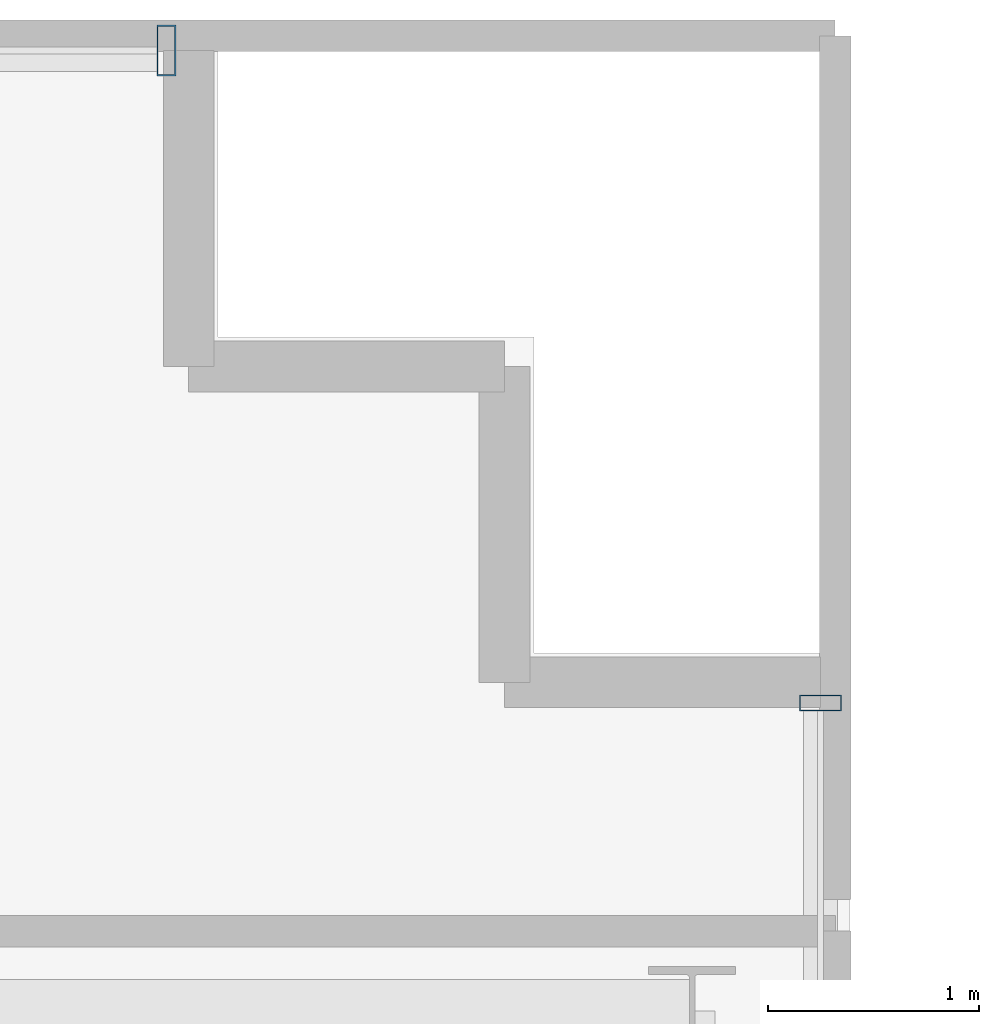
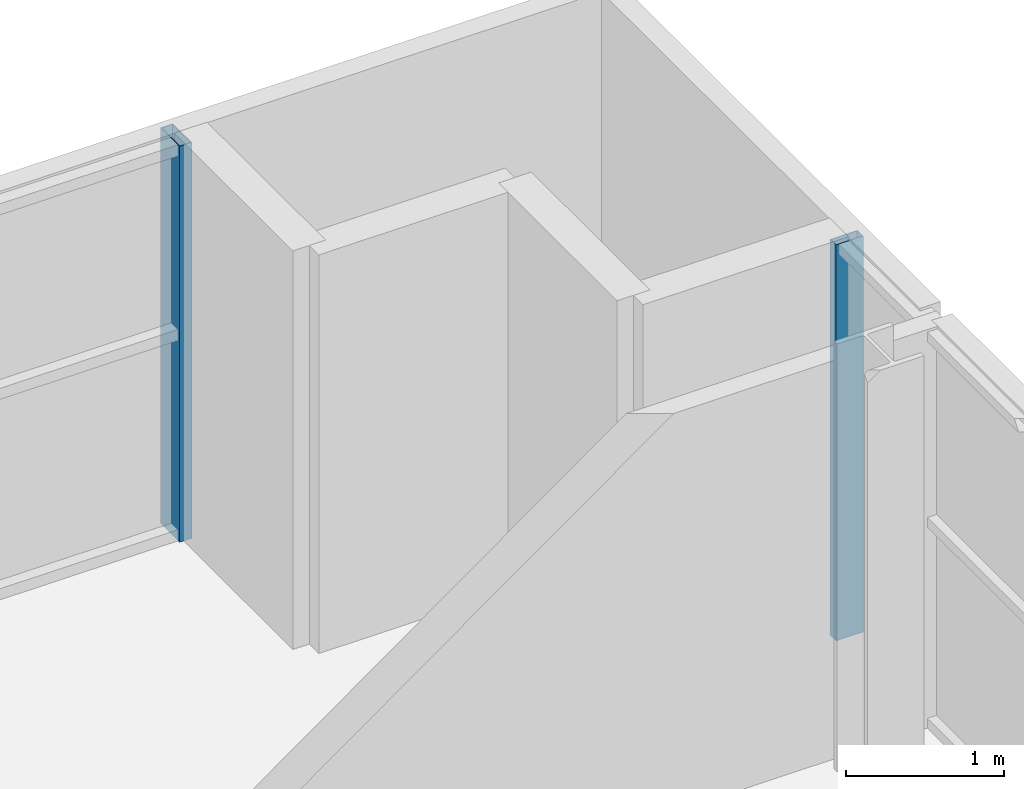
# One storey, part 20 of 30: 2 members, 2 elements without a shape of their own.
"""IFC4 building model written with IfcOpenShell, lengths in metres."""

from ifc_helpers import new_model, si_unit, direction, frame, origin, origin_2d, place, context, subcontext, project, spatial, hollow_rectangle, extrude, source, transform, mapped, material, layer, layer_set, material_profile, profile_set, type_object, element, aggregate, save


model = new_model("IFC4")

# Units and contexts
model_context = context("Model", 3, precision=1e-05, world=origin(), true_north=direction((0.0, 1.0)))
body_context = subcontext(model_context, "Body", "Model", "MODEL_VIEW")
ifc_project = project(units=[si_unit("LENGTHUNIT", "METRE"), si_unit("AREAUNIT", "SQUARE_METRE"), si_unit("VOLUMEUNIT", "CUBIC_METRE"), si_unit("PLANEANGLEUNIT", "RADIAN"), si_unit("MASSUNIT", "GRAM", prefix="KILO")], contexts=[model_context])

# Site, building, storey
site_placement = place(None, origin())
site = spatial("IfcSite", under=ifc_project, at=site_placement, CompositionType="ELEMENT")
building_placement = place(site_placement, origin())
building = spatial("IfcBuilding", under=site, at=building_placement, Name="Zarnakvel Exchange Tower", CompositionType="ELEMENT")
storey_placement = place(building_placement, frame((0.0, 0.0, 43.89990234375)))
storey = spatial("IfcBuildingStorey", under=building, at=storey_placement, Name="L11", CompositionType="ELEMENT", Elevation=43.89990234375)

# Curtain wall, member
ifc_material = material(Name="Architectural Bronze Anodised Aluminium", Category="aluminium")
ifc_layer_1 = layer(ifc_material, 0.239990234375)
ifc_layer_set_1 = layer_set([ifc_layer_1], Name="Architectural Bronze Anodised Aluminium")
curtain_wall_type_1 = type_object("IfcCurtainWallType", Name="CW-02", PredefinedType="NOTDEFINED", material=ifc_layer_set_1)
curtain_wall_1_placement = place(storey_placement, origin())
curtain_wall_1 = element("IfcCurtainWall", 1, at=curtain_wall_1_placement, inside=storey, type_object=curtain_wall_type_1, Name="L11 Curtain Wall CW-L11-N1 (CW-02)", PredefinedType="NOTDEFINED")
ifc_material_profile_1 = material_profile(ifc_material, hollow_rectangle(XDim=0.239990234375, YDim=0.090087890625, WallThickness=0.006103515625, at=origin_2d()))
ifc_profile_set_1 = profile_set([ifc_material_profile_1], Name="Architectural Bronze Anodised Aluminium")
member_type_1 = type_object("IfcMemberType", Name="CWM-02", PredefinedType="MULLION", material=ifc_profile_set_1)
shared_shape_1 = source(origin(), body_context, "Body", "SweptSolid", [
    extrude(hollow_rectangle(XDim=0.239990234375, YDim=0.090087890625, WallThickness=0.006103515625, at=origin_2d()), origin(), (0.0, 0.0, 1.0), 3.05517578125),
])
member_1_placement = place(storey_placement, frame((25.35498046875, 18.06005859375, 0.0), z_axis=(0.0, 0.0, 1.0), x_axis=(0.0, 1.0, 0.0)))
member_1 = element("IfcMember", 2, at=member_1_placement, type_object=member_type_1, Name="CW-02 mullion 8", PredefinedType="MULLION", context=body_context, shape_type="MappedRepresentation", body=[
    mapped(shared_shape_1, transform((0.0, 0.0, 0.0), x_axis=(1.0, 0.0, 0.0), y_axis=(0.0, 1.0, 0.0), z_axis=(0.0, 0.0, 1.0), scale=1.0)),
])
aggregate(curtain_wall_1, [member_1])

ifc_layer_2 = layer(ifc_material, 0.199951171875)
ifc_layer_set_2 = layer_set([ifc_layer_2], Name="Architectural Bronze Anodised Aluminium")
curtain_wall_type_2 = type_object("IfcCurtainWallType", Name="CW-04", PredefinedType="NOTDEFINED", material=ifc_layer_set_2)
curtain_wall_2_placement = place(storey_placement, origin())
curtain_wall_2 = element("IfcCurtainWall", 3, at=curtain_wall_2_placement, inside=storey, type_object=curtain_wall_type_2, Name="L11 Curtain Wall CW-L11-EN (CW-04)", PredefinedType="NOTDEFINED")
ifc_material_profile_2 = material_profile(ifc_material, hollow_rectangle(XDim=0.199951171875, YDim=0.074951171875, WallThickness=0.0048828125, at=origin_2d()))
ifc_profile_set_2 = profile_set([ifc_material_profile_2], Name="Architectural Bronze Anodised Aluminium")
member_type_2 = type_object("IfcMemberType", Name="CWM-04", PredefinedType="MULLION", material=ifc_profile_set_2)
shared_shape_2 = source(origin(), body_context, "Body", "SweptSolid", [
    extrude(hollow_rectangle(XDim=0.199951171875, YDim=0.074951171875, WallThickness=0.0048828125, at=origin_2d()), origin(), (0.0, 0.0, 1.0), 3.05517578125),
])
member_2_placement = place(storey_placement, frame((28.4599609375, 14.96240234375, 0.0), z_axis=(0.0, 0.0, 1.0), x_axis=(-1.0, 0.0, 0.0)))
member_2 = element("IfcMember", 4, at=member_2_placement, type_object=member_type_2, Name="CW-04 mullion 3", PredefinedType="MULLION", context=body_context, shape_type="MappedRepresentation", body=[
    mapped(shared_shape_2, transform((0.0, 0.0, 0.0), x_axis=(1.0, 0.0, 0.0), y_axis=(0.0, 1.0, 0.0), z_axis=(0.0, 0.0, 1.0), scale=1.0)),
])
aggregate(curtain_wall_2, [member_2])

save(model, "model.ifc")
